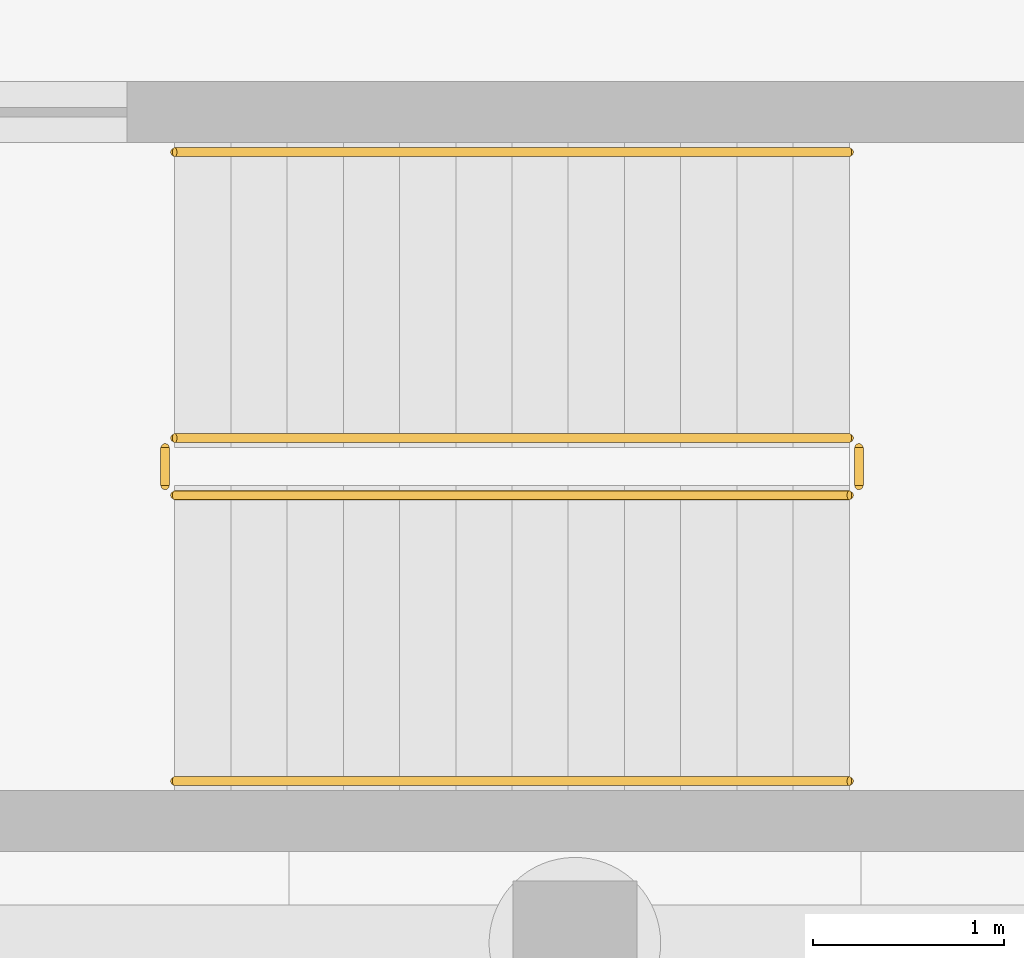
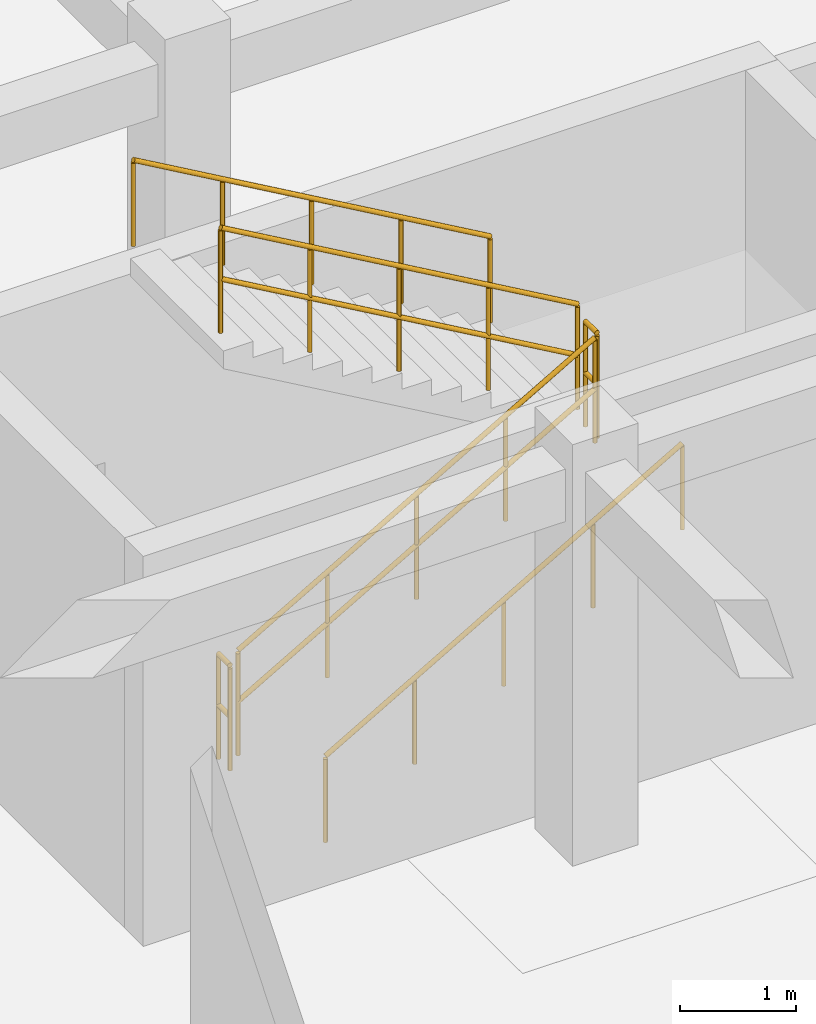
# One storey, part 21 of 22: 6 railings.
"""IFC4 building model written with IfcOpenShell, lengths in metres."""

from ifc_helpers import new_model, si_unit, direction, frame, origin, origin_2d, place, context, subcontext, project, spatial, circle, extrude, material, type_object, element, save


model = new_model("IFC4")

# Units and contexts
model_context = context("Model", 3, precision=1e-05, world=origin(), true_north=direction((0.0, 1.0)))
body_context = subcontext(model_context, "Body", "Model", "MODEL_VIEW")
ifc_project = project(units=[si_unit("LENGTHUNIT", "METRE"), si_unit("AREAUNIT", "SQUARE_METRE"), si_unit("VOLUMEUNIT", "CUBIC_METRE"), si_unit("PLANEANGLEUNIT", "RADIAN"), si_unit("MASSUNIT", "GRAM", prefix="KILO")], contexts=[model_context])

# Site, building, storey
site_placement = place(None, origin())
site = spatial("IfcSite", under=ifc_project, at=site_placement, CompositionType="ELEMENT")
building_placement = place(site_placement, origin())
building = spatial("IfcBuilding", under=site, at=building_placement, Name="Valcora Specialist Clinic", CompositionType="ELEMENT")
storey_placement = place(building_placement, frame((0.0, 0.0, -4.419921875)))
storey = spatial("IfcBuildingStorey", under=building, at=storey_placement, Name="B1", CompositionType="ELEMENT", Elevation=-4.419921875)

# Railings
ifc_material = material(Name="Stainless Steel AISI 316", Category="steel")
railing_type_1 = type_object("IfcRailingType", Name="TY-RL-GRD112", PredefinedType="GUARDRAIL", material=ifc_material)
railing_1_placement = place(storey_placement, frame((90.300048828125, 10.550048828125, 0.169921875)))
element("IfcRailing", 1, at=railing_1_placement, inside=storey, type_object=railing_type_1, Name="B1 ST-V6B stair guard 1", PredefinedType="GUARDRAIL", context=body_context, shape_type="SweptSolid", body=[
    extrude(circle(Radius=0.02392578125, at=origin_2d()), frame((0.0, 0.0, 1.09619140625), z_axis=(0.866428212428, 0.0, 0.499301665038), x_axis=(0.0, 1.0, 0.0)), (0.0, 0.0, 1.0), 4.085693359375),
    extrude(circle(Radius=0.02392578125, at=origin_2d()), frame((0.0, 0.0, 0.56005859375), z_axis=(0.866428212428, 0.0, 0.499301665038), x_axis=(0.0, 1.0, 0.0)), (0.0, 0.0, 1.0), 4.085693359375),
    extrude(circle(Radius=0.02099609375, at=origin_2d()), origin(), (0.0, 0.0, 1.0), 1.072021484375),
    extrude(circle(Radius=0.02099609375, at=origin_2d()), frame((0.885009765625, 0.0, 0.510009765625)), (0.0, 0.0, 1.0), 1.072021484375),
    extrude(circle(Radius=0.02099609375, at=origin_2d()), frame((1.77001953125, 0.0, 1.02001953125)), (0.0, 0.0, 1.0), 1.072021484375),
    extrude(circle(Radius=0.02099609375, at=origin_2d()), frame((2.655029296875, 0.0, 1.530029296875)), (0.0, 0.0, 1.0), 1.072021484375),
    extrude(circle(Radius=0.02099609375, at=origin_2d()), frame((3.5400390625, 0.0, 2.0400390625)), (0.0, 0.0, 1.0), 1.072021484375),
])
railing_2_placement = place(storey_placement, frame((93.889892578125, 10.60009765625, 2.2099609375)))
element("IfcRailing", 2, at=railing_2_placement, inside=storey, type_object=railing_type_1, Name="B1 ST-V6B stair guard 2", PredefinedType="GUARDRAIL", context=body_context, shape_type="SweptSolid", body=[
    extrude(circle(Radius=0.02392578125, at=origin_2d()), frame((0.0, 0.0, 1.09619140625), z_axis=(0.0, 1.0, 0.0), x_axis=(-1.0, 0.0, 0.0)), (0.0, 0.0, 1.0), 0.199951171875),
    extrude(circle(Radius=0.02392578125, at=origin_2d()), frame((0.0, 0.0, 0.56005859375), z_axis=(0.0, 1.0, 0.0), x_axis=(-1.0, 0.0, 0.0)), (0.0, 0.0, 1.0), 0.199951171875),
    extrude(circle(Radius=0.02099609375, at=origin_2d()), origin(), (0.0, 0.0, 1.0), 1.072021484375),
    extrude(circle(Radius=0.02099609375, at=origin_2d()), frame((0.0, 0.199951171875, 0.0)), (0.0, 0.0, 1.0), 1.072021484375),
])
railing_3_placement = place(storey_placement, frame((93.840087890625, 10.85009765625, 2.3798828125)))
element("IfcRailing", 3, at=railing_3_placement, inside=storey, type_object=railing_type_1, Name="B1 ST-V6B stair guard 3", PredefinedType="GUARDRAIL", context=body_context, shape_type="SweptSolid", body=[
    extrude(circle(Radius=0.02392578125, at=origin_2d()), frame((0.0, 0.0, 1.09619140625), z_axis=(-0.866428212428, 0.0, 0.499301665038), x_axis=(0.0, -1.0, 0.0)), (0.0, 0.0, 1.0), 4.085693359375),
    extrude(circle(Radius=0.02392578125, at=origin_2d()), frame((0.0, 0.0, 0.56005859375), z_axis=(-0.866428212428, 0.0, 0.499301665038), x_axis=(0.0, -1.0, 0.0)), (0.0, 0.0, 1.0), 4.085693359375),
    extrude(circle(Radius=0.02099609375, at=origin_2d()), origin(), (0.0, 0.0, 1.0), 1.072021484375),
    extrude(circle(Radius=0.02099609375, at=origin_2d()), frame((-0.885009765625, 0.0, 0.510009765625)), (0.0, 0.0, 1.0), 1.072021484375),
    extrude(circle(Radius=0.02099609375, at=origin_2d()), frame((-1.77001953125, 0.0, 1.02001953125)), (0.0, 0.0, 1.0), 1.072021484375),
    extrude(circle(Radius=0.02099609375, at=origin_2d()), frame((-2.655029296875, 0.0, 1.530029296875)), (0.0, 0.0, 1.0), 1.072021484375),
    extrude(circle(Radius=0.02099609375, at=origin_2d()), frame((-3.5400390625, 0.0, 2.0400390625)), (0.0, 0.0, 1.0), 1.072021484375),
])
railing_4_placement = place(storey_placement, frame((90.25, 10.60009765625, 0.0)))
element("IfcRailing", 4, at=railing_4_placement, inside=storey, type_object=railing_type_1, Name="B1 ST-V6B stair guard 4", PredefinedType="GUARDRAIL", context=body_context, shape_type="SweptSolid", body=[
    extrude(circle(Radius=0.02392578125, at=origin_2d()), frame((0.0, 0.0, 1.09619140625), z_axis=(0.0, 1.0, 0.0), x_axis=(-1.0, 0.0, 0.0)), (0.0, 0.0, 1.0), 0.199951171875),
    extrude(circle(Radius=0.02392578125, at=origin_2d()), frame((0.0, 0.0, 0.56005859375), z_axis=(0.0, 1.0, 0.0), x_axis=(-1.0, 0.0, 0.0)), (0.0, 0.0, 1.0), 0.199951171875),
    extrude(circle(Radius=0.02099609375, at=origin_2d()), origin(), (0.0, 0.0, 1.0), 1.072021484375),
    extrude(circle(Radius=0.02099609375, at=origin_2d()), frame((0.0, 0.199951171875, 0.0)), (0.0, 0.0, 1.0), 1.072021484375),
])
railing_type_2 = type_object("IfcRailingType", Name="TY-RL-HND092", PredefinedType="HANDRAIL", material=ifc_material)
railing_5_placement = place(storey_placement, frame((90.300048828125, 9.050048828125, 0.169921875)))
element("IfcRailing", 5, at=railing_5_placement, inside=storey, type_object=railing_type_2, Name="B1 ST-V6B stair handrail 1", PredefinedType="HANDRAIL", context=body_context, shape_type="SweptSolid", body=[
    extrude(circle(Radius=0.02392578125, at=origin_2d()), frame((0.0, 0.0, 0.89599609375), z_axis=(0.866428212428, 0.0, 0.499301665038), x_axis=(0.0, 1.0, 0.0)), (0.0, 0.0, 1.0), 4.085693359375),
    extrude(circle(Radius=0.02099609375, at=origin_2d()), origin(), (0.0, 0.0, 1.0), 0.871826171875),
    extrude(circle(Radius=0.02099609375, at=origin_2d()), frame((0.885009765625, 0.0, 0.510009765625)), (0.0, 0.0, 1.0), 0.871826171875),
    extrude(circle(Radius=0.02099609375, at=origin_2d()), frame((1.77001953125, 0.0, 1.02001953125)), (0.0, 0.0, 1.0), 0.871826171875),
    extrude(circle(Radius=0.02099609375, at=origin_2d()), frame((2.655029296875, 0.0, 1.530029296875)), (0.0, 0.0, 1.0), 0.871826171875),
    extrude(circle(Radius=0.02099609375, at=origin_2d()), frame((3.5400390625, 0.0, 2.0400390625)), (0.0, 0.0, 1.0), 0.871826171875),
])
railing_6_placement = place(storey_placement, frame((93.840087890625, 12.35009765625, 2.3798828125)))
element("IfcRailing", 6, at=railing_6_placement, inside=storey, type_object=railing_type_2, Name="B1 ST-V6B stair handrail 2", PredefinedType="HANDRAIL", context=body_context, shape_type="SweptSolid", body=[
    extrude(circle(Radius=0.02392578125, at=origin_2d()), frame((0.0, 0.0, 0.89599609375), z_axis=(-0.866428212428, 0.0, 0.499301665038), x_axis=(0.0, -1.0, 0.0)), (0.0, 0.0, 1.0), 4.085693359375),
    extrude(circle(Radius=0.02099609375, at=origin_2d()), origin(), (0.0, 0.0, 1.0), 0.871826171875),
    extrude(circle(Radius=0.02099609375, at=origin_2d()), frame((-0.885009765625, 0.0, 0.510009765625)), (0.0, 0.0, 1.0), 0.871826171875),
    extrude(circle(Radius=0.02099609375, at=origin_2d()), frame((-1.77001953125, 0.0, 1.02001953125)), (0.0, 0.0, 1.0), 0.871826171875),
    extrude(circle(Radius=0.02099609375, at=origin_2d()), frame((-2.655029296875, 0.0, 1.530029296875)), (0.0, 0.0, 1.0), 0.871826171875),
    extrude(circle(Radius=0.02099609375, at=origin_2d()), frame((-3.5400390625, 0.0, 2.0400390625)), (0.0, 0.0, 1.0), 0.871826171875),
])

save(model, "model.ifc")
